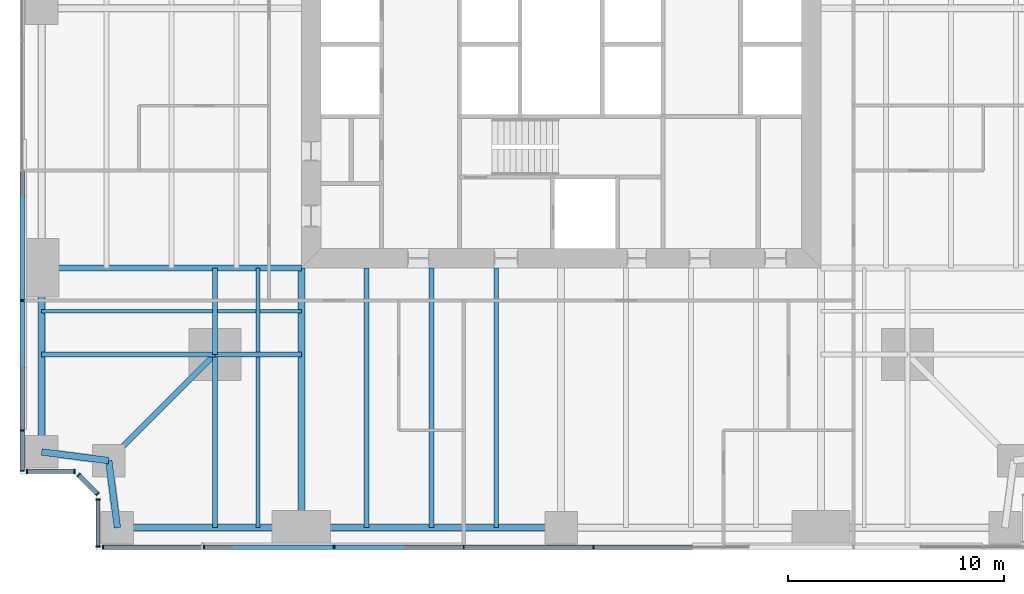
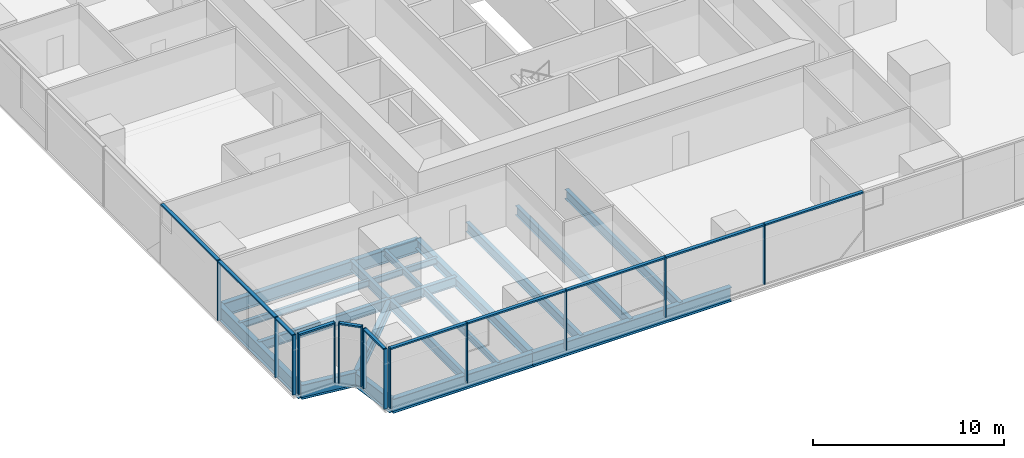
# One storey, part 2 of 15: 25 members, 20 beams, 5 elements without a shape of their own.
"""IFC4 building model written with IfcOpenShell, lengths in metres."""

from ifc_helpers import new_model, si_unit, direction, frame, origin, origin_2d, place, context, subcontext, project, spatial, rectangle, i_section, extrude, material, material_profile, profile_set, type_object, element, aggregate, save


model = new_model("IFC4")

# Units and contexts
model_context = context("Model", 3, precision=1e-05, world=origin(), true_north=direction((0.0, 1.0)))
body_context = subcontext(model_context, "Body", "Model", "MODEL_VIEW")
ifc_project = project(units=[si_unit("LENGTHUNIT", "METRE"), si_unit("AREAUNIT", "SQUARE_METRE"), si_unit("VOLUMEUNIT", "CUBIC_METRE"), si_unit("PLANEANGLEUNIT", "RADIAN"), si_unit("MASSUNIT", "GRAM", prefix="KILO")], contexts=[model_context])

# Site, building, storey
site_placement = place(None, origin())
site = spatial("IfcSite", under=ifc_project, at=site_placement, CompositionType="ELEMENT")
building_placement = place(site_placement, origin())
building = spatial("IfcBuilding", under=site, at=building_placement, Name="Fenwick Lantern Interchange", CompositionType="ELEMENT")
storey_placement = place(building_placement, frame((0.0, 0.0, 51.0)))
storey = spatial("IfcBuildingStorey", under=building, at=storey_placement, Name="L11", CompositionType="ELEMENT", Elevation=51.0)

# Beams
ifc_material_1 = material(Name="Steel ASTM A992 Grade 50", Category="steel")
ifc_material_profile_1 = material_profile(ifc_material_1, i_section(OverallWidth=0.3046875, OverallDepth=0.911865234375, WebThickness=0.015869140625, FlangeThickness=0.02392578125, at=origin_2d()), Name="W36X150")
ifc_profile_set_1 = profile_set([ifc_material_profile_1], Name="Steel ASTM A992 Grade 50")
beam_type_1 = type_object("IfcBeamType", Name="EDGE BEAM W36X150", PredefinedType="SPANDREL", material=ifc_profile_set_1)
beam_1_placement = place(storey_placement, frame((4.5, 1.0, -0.60595703125), z_axis=(1.0, 0.0, 0.0), x_axis=(0.0, 1.0, 0.0)))
element("IfcBeam", 1, at=beam_1_placement, inside=storey, type_object=beam_type_1, Name="L11/FR/S/EB1", PredefinedType="SPANDREL", context=body_context, shape_type="SweptSolid", body=[
    extrude(i_section(OverallWidth=0.3046875, OverallDepth=0.911865234375, WebThickness=0.015869140625, FlangeThickness=0.02392578125, at=origin_2d()), origin(), (0.0, 0.0, 1.0), 8.5),
])
beam_2_placement = place(storey_placement, frame((13.0, 1.0, -0.60595703125), z_axis=(1.0, 0.0, 0.0), x_axis=(0.0, 1.0, 0.0)))
element("IfcBeam", 2, at=beam_2_placement, inside=storey, type_object=beam_type_1, Name="L11/FR/S/EB2", PredefinedType="SPANDREL", context=body_context, shape_type="SweptSolid", body=[
    extrude(i_section(OverallWidth=0.3046875, OverallDepth=0.911865234375, WebThickness=0.015869140625, FlangeThickness=0.02392578125, at=origin_2d()), origin(), (0.0, 0.0, 1.0), 12.0),
])
beam_3_placement = place(storey_placement, frame((1.0, 13.0, -0.60595703125), z_axis=(0.0, -1.0, 0.0), x_axis=(1.0, 0.0, 0.0)))
element("IfcBeam", 3, at=beam_3_placement, inside=storey, type_object=beam_type_1, Name="L11/FR/W/EB4", PredefinedType="SPANDREL", context=body_context, shape_type="SweptSolid", body=[
    extrude(i_section(OverallWidth=0.3046875, OverallDepth=0.911865234375, WebThickness=0.015869140625, FlangeThickness=0.02392578125, at=origin_2d()), origin(), (0.0, 0.0, 1.0), 8.5),
])
for number, where, z_axis, x_axis, name in (
    (4, (1.0, 4.5, -0.60595703125), (0.991782342897, -0.127936641807, 0.0), (0.127936641807, 0.991782342897, 0.0), "L11/FR/W/EBR1"),
    (5, (4.10009765625, 4.10009765625, -0.60595703125), (0.127936641807, -0.991782342897, 0.0), (0.991782342897, 0.127936641807, 0.0), "L11/FR/W/EBR2"),
):
    element("IfcBeam", number, at=place(storey_placement, frame(where, z_axis=z_axis, x_axis=x_axis)), inside=storey, type_object=beam_type_1, Name=name, PredefinedType="SPANDREL", context=body_context, shape_type="SweptSolid", body=[
        extrude(i_section(OverallWidth=0.3046875, OverallDepth=0.911865234375, WebThickness=0.015869140625, FlangeThickness=0.02392578125, at=origin_2d()), origin(), (0.0, 0.0, 1.0), 3.125732421875),
    ])
ifc_material_profile_2 = material_profile(ifc_material_1, i_section(OverallWidth=0.22900390625, OverallDepth=0.612060546875, WebThickness=0.011962890625, FlangeThickness=0.01953125, at=origin_2d()), Name="W24X84")
ifc_profile_set_2 = profile_set([ifc_material_profile_2], Name="Steel ASTM A992 Grade 50")
beam_type_2 = type_object("IfcBeamType", Name="FLOOR BEAM W24X84", PredefinedType="BEAM", material=ifc_profile_set_2)
for number, where, z_axis, x_axis, name in (
    (6, (16.0, 1.0, -0.4560546875), (0.0, 1.0, 0.0), (-1.0, 0.0, 0.0), "L11/FR/S/R02"),
    (7, (19.0, 1.0, -0.4560546875), (0.0, 1.0, 0.0), (-1.0, 0.0, 0.0), "L11/FR/S/R03"),
    (8, (22.0, 1.0, -0.4560546875), (0.0, 1.0, 0.0), (-1.0, 0.0, 0.0), "L11/FR/S/R04"),
):
    element("IfcBeam", number, at=place(storey_placement, frame(where, z_axis=z_axis, x_axis=x_axis)), inside=storey, type_object=beam_type_2, Name=name, PredefinedType="BEAM", context=body_context, shape_type="SweptSolid", body=[
        extrude(i_section(OverallWidth=0.22900390625, OverallDepth=0.612060546875, WebThickness=0.011962890625, FlangeThickness=0.01953125, at=origin_2d()), origin(), (0.0, 0.0, 1.0), 12.0),
    ])
ifc_material_profile_3 = material_profile(ifc_material_1, i_section(OverallWidth=0.177734375, OverallDepth=0.406494140625, WebThickness=0.0078125, FlangeThickness=0.012939453125, at=origin_2d()), Name="W16X40")
ifc_profile_set_3 = profile_set([ifc_material_profile_3], Name="Steel ASTM A992 Grade 50")
beam_type_3 = type_object("IfcBeamType", Name="INFILL BEAM W16X40", PredefinedType="JOIST", material=ifc_profile_set_3)
beam_4_placement = place(storey_placement, frame((11.0, 1.0, -0.353271484375), z_axis=(0.0, 1.0, 0.0), x_axis=(-1.0, 0.0, 0.0)))
element("IfcBeam", 9, at=beam_4_placement, inside=storey, type_object=beam_type_3, Name="L11/FR/S/J1", PredefinedType="JOIST", context=body_context, shape_type="SweptSolid", body=[
    extrude(i_section(OverallWidth=0.177734375, OverallDepth=0.406494140625, WebThickness=0.0078125, FlangeThickness=0.012939453125, at=origin_2d()), origin(), (0.0, 0.0, 1.0), 7.885498046875),
])
beam_5_placement = place(storey_placement, frame((11.0, 9.114501953125, -0.353271484375), z_axis=(0.0, 1.0, 0.0), x_axis=(-1.0, 0.0, 0.0)))
element("IfcBeam", 10, at=beam_5_placement, inside=storey, type_object=beam_type_3, Name="L11/FR/S/J2", PredefinedType="JOIST", context=body_context, shape_type="SweptSolid", body=[
    extrude(i_section(OverallWidth=0.177734375, OverallDepth=0.406494140625, WebThickness=0.0078125, FlangeThickness=0.012939453125, at=origin_2d()), origin(), (0.0, 0.0, 1.0), 3.885498046875),
])
beam_6_placement = place(storey_placement, frame((1.0, 11.0, -0.353271484375), z_axis=(1.0, 0.0, 0.0), x_axis=(0.0, 1.0, 0.0)))
element("IfcBeam", 11, at=beam_6_placement, inside=storey, type_object=beam_type_3, Name="L11/FR/S/J3", PredefinedType="JOIST", context=body_context, shape_type="SweptSolid", body=[
    extrude(i_section(OverallWidth=0.177734375, OverallDepth=0.406494140625, WebThickness=0.0078125, FlangeThickness=0.012939453125, at=origin_2d()), origin(), (0.0, 0.0, 1.0), 7.885498046875),
])
beam_7_placement = place(storey_placement, frame((9.114501953125, 11.0, -0.353271484375), z_axis=(1.0, 0.0, 0.0), x_axis=(0.0, 1.0, 0.0)))
element("IfcBeam", 12, at=beam_7_placement, inside=storey, type_object=beam_type_3, Name="L11/FR/S/J4", PredefinedType="JOIST", context=body_context, shape_type="SweptSolid", body=[
    extrude(i_section(OverallWidth=0.177734375, OverallDepth=0.406494140625, WebThickness=0.0078125, FlangeThickness=0.012939453125, at=origin_2d()), origin(), (0.0, 0.0, 1.0), 1.796630859375),
])
beam_8_placement = place(storey_placement, frame((11.0888671875, 11.0, -0.353271484375), z_axis=(1.0, 0.0, 0.0), x_axis=(0.0, 1.0, 0.0)))
element("IfcBeam", 13, at=beam_8_placement, inside=storey, type_object=beam_type_3, Name="L11/FR/S/J5", PredefinedType="JOIST", context=body_context, shape_type="SweptSolid", body=[
    extrude(i_section(OverallWidth=0.177734375, OverallDepth=0.406494140625, WebThickness=0.0078125, FlangeThickness=0.012939453125, at=origin_2d()), origin(), (0.0, 0.0, 1.0), 1.9111328125),
])
ifc_material_profile_4 = material_profile(ifc_material_1, i_section(OverallWidth=0.22900390625, OverallDepth=0.612060546875, WebThickness=0.011962890625, FlangeThickness=0.01953125, at=origin_2d()), Name="W24X84")
ifc_profile_set_4 = profile_set([ifc_material_profile_4], Name="Steel ASTM A992 Grade 50")
beam_type_4 = type_object("IfcBeamType", Name="MEGA COLUMN BEAM W24X84", PredefinedType="BEAM", material=ifc_profile_set_4)
for number, where, z_axis, x_axis, name in (
    (14, (9.0, 9.0, -0.4560546875), (0.0, -1.0, 0.0), (1.0, 0.0, 0.0), "L11/FR/S/MB1"),
    (15, (9.0, 9.0, -0.4560546875), (-1.0, 0.0, 0.0), (0.0, -1.0, 0.0), "L11/FR/S/MB2"),
):
    element("IfcBeam", number, at=place(storey_placement, frame(where, z_axis=z_axis, x_axis=x_axis)), inside=storey, type_object=beam_type_4, Name=name, PredefinedType="BEAM", context=body_context, shape_type="SweptSolid", body=[
        extrude(i_section(OverallWidth=0.22900390625, OverallDepth=0.612060546875, WebThickness=0.011962890625, FlangeThickness=0.01953125, at=origin_2d()), origin(), (0.0, 0.0, 1.0), 8.0),
    ])
for number, where, z_axis, x_axis, name in (
    (16, (9.0, 9.0, -0.4560546875), (1.0, 0.0, 0.0), (0.0, 1.0, 0.0), "L11/FR/S/MB3"),
    (17, (9.0, 9.0, -0.4560546875), (0.0, 1.0, 0.0), (-1.0, 0.0, 0.0), "L11/FR/S/MB4"),
):
    element("IfcBeam", number, at=place(storey_placement, frame(where, z_axis=z_axis, x_axis=x_axis)), inside=storey, type_object=beam_type_4, Name=name, PredefinedType="BEAM", context=body_context, shape_type="SweptSolid", body=[
        extrude(i_section(OverallWidth=0.22900390625, OverallDepth=0.612060546875, WebThickness=0.011962890625, FlangeThickness=0.01953125, at=origin_2d()), origin(), (0.0, 0.0, 1.0), 4.0),
    ])
ifc_material_profile_5 = material_profile(ifc_material_1, i_section(OverallWidth=0.32763671875, OverallDepth=0.622314453125, WebThickness=0.015380859375, FlangeThickness=0.0244140625, at=origin_2d()), Name="W24X131")
ifc_profile_set_5 = profile_set([ifc_material_profile_5], Name="Steel ASTM A992 Grade 50")
beam_type_5 = type_object("IfcBeamType", Name="MOMENT-CONNECTED GIRDER W24X131", PredefinedType="BEAM", material=ifc_profile_set_5)
beam_9_placement = place(storey_placement, frame((13.0, 1.0, -0.461181640625), z_axis=(0.0, 1.0, 0.0), x_axis=(-1.0, 0.0, 0.0)))
element("IfcBeam", 18, at=beam_9_placement, inside=storey, type_object=beam_type_5, Name="L11/FR/S/R01", PredefinedType="BEAM", context=body_context, shape_type="SweptSolid", body=[
    extrude(i_section(OverallWidth=0.32763671875, OverallDepth=0.622314453125, WebThickness=0.015380859375, FlangeThickness=0.0244140625, at=origin_2d()), origin(), (0.0, 0.0, 1.0), 12.0),
])
ifc_material_profile_6 = material_profile(ifc_material_1, i_section(OverallWidth=0.2919921875, OverallDepth=0.845703125, WebThickness=0.015380859375, FlangeThickness=0.0244140625, at=origin_2d()), Name="W33X141")
ifc_profile_set_6 = profile_set([ifc_material_profile_6], Name="Steel ASTM A992 Grade 50")
beam_type_6 = type_object("IfcBeamType", Name="MOMENT-CONNECTED GIRDER W33X141", PredefinedType="BEAM", material=ifc_profile_set_6)
beam_10_placement = place(storey_placement, frame((1.0, 13.0, -0.572998046875), z_axis=(1.0, 0.0, 0.0), x_axis=(0.0, 1.0, 0.0)))
element("IfcBeam", 19, at=beam_10_placement, inside=storey, type_object=beam_type_6, Name="L11/FR/W/R03", PredefinedType="BEAM", context=body_context, shape_type="SweptSolid", body=[
    extrude(i_section(OverallWidth=0.2919921875, OverallDepth=0.845703125, WebThickness=0.015380859375, FlangeThickness=0.0244140625, at=origin_2d()), origin(), (0.0, 0.0, 1.0), 12.0),
])
ifc_material_profile_7 = material_profile(ifc_material_1, i_section(OverallWidth=0.2666015625, OverallDepth=0.7568359375, WebThickness=0.013916015625, FlangeThickness=0.019287109375, at=origin_2d()), Name="W30X108")
ifc_profile_set_7 = profile_set([ifc_material_profile_7], Name="Steel ASTM A992 Grade 50")
beam_type_7 = type_object("IfcBeamType", Name="NOTCH BEAM W30X108", PredefinedType="BEAM", material=ifc_profile_set_7)
beam_11_placement = place(storey_placement, frame((9.0, 9.0, -0.528564453125), z_axis=(-0.707106781187, -0.707106781187, 0.0), x_axis=(0.707106781187, -0.707106781187, 0.0)))
element("IfcBeam", 20, at=beam_11_placement, inside=storey, type_object=beam_type_7, Name="L11/FR/S/TG", PredefinedType="BEAM", context=body_context, shape_type="SweptSolid", body=[
    extrude(i_section(OverallWidth=0.2666015625, OverallDepth=0.7568359375, WebThickness=0.013916015625, FlangeThickness=0.019287109375, at=origin_2d()), origin(), (0.0, 0.0, 1.0), 6.929443359375),
])

# Curtain wall, members
ifc_material_2 = material(Name="Aluminium curtain wall frame", Category="aluminium")
curtain_wall_type = type_object("IfcCurtainWallType", Name="OFFICE CURTAIN WALL", PredefinedType="USERDEFINED", material=ifc_material_2)
curtain_wall_1_placement = place(storey_placement, origin())
curtain_wall_1 = element("IfcCurtainWall", 21, at=curtain_wall_1_placement, inside=storey, type_object=curtain_wall_type, Name="Office curtain wall 01", ObjectType="OFFICE CURTAIN WALL", PredefinedType="USERDEFINED")
ifc_material_3 = material(Name="Aluminium extrusion", Category="aluminium")
ifc_material_profile_8 = material_profile(ifc_material_3, rectangle(XDim=0.199951171875, YDim=0.06494140625, at=origin_2d()), Name="OFFICE CURTAIN WALL MULLION 65 X 200")
ifc_profile_set_8 = profile_set([ifc_material_profile_8], Name="Aluminium extrusion")
member_type_1 = type_object("IfcMemberType", Name="OFFICE CURTAIN WALL MULLION 65 X 200", PredefinedType="MULLION", material=ifc_profile_set_8)
member_1_placement = place(storey_placement, frame((3.83251953125, 0.10009765625, 0.0), z_axis=(0.0, 0.0, 1.0), x_axis=(0.0, 1.0, 0.0)))
member_1 = element("IfcMember", 22, at=member_1_placement, type_object=member_type_1, Name="L11/CW/01/M00", PredefinedType="MULLION", context=body_context, shape_type="SweptSolid", body=[
    extrude(rectangle(XDim=0.199951171875, YDim=0.06494140625, at=origin_2d()), origin(), (0.0, 0.0, 1.0), 3.85009765625),
])
member_2_placement = place(storey_placement, frame((8.5, 0.10009765625, 0.0), z_axis=(0.0, 0.0, 1.0), x_axis=(0.0, 1.0, 0.0)))
member_2 = element("IfcMember", 23, at=member_2_placement, type_object=member_type_1, Name="L11/CW/01/M01", PredefinedType="MULLION", context=body_context, shape_type="SweptSolid", body=[
    extrude(rectangle(XDim=0.199951171875, YDim=0.06494140625, at=origin_2d()), origin(), (0.0, 0.0, 1.0), 3.85009765625),
])
member_3_placement = place(storey_placement, frame((14.5, 0.10009765625, 0.0), z_axis=(0.0, 0.0, 1.0), x_axis=(0.0, 1.0, 0.0)))
member_3 = element("IfcMember", 24, at=member_3_placement, type_object=member_type_1, Name="L11/CW/01/M02", PredefinedType="MULLION", context=body_context, shape_type="SweptSolid", body=[
    extrude(rectangle(XDim=0.199951171875, YDim=0.06494140625, at=origin_2d()), origin(), (0.0, 0.0, 1.0), 3.85009765625),
])
member_4_placement = place(storey_placement, frame((20.5, 0.10009765625, 0.0), z_axis=(0.0, 0.0, 1.0), x_axis=(0.0, 1.0, 0.0)))
member_4 = element("IfcMember", 25, at=member_4_placement, type_object=member_type_1, Name="L11/CW/01/M03", PredefinedType="MULLION", context=body_context, shape_type="SweptSolid", body=[
    extrude(rectangle(XDim=0.199951171875, YDim=0.06494140625, at=origin_2d()), origin(), (0.0, 0.0, 1.0), 3.85009765625),
])
member_5_placement = place(storey_placement, frame((26.5, 0.10009765625, 0.0), z_axis=(0.0, 0.0, 1.0), x_axis=(0.0, 1.0, 0.0)))
member_5 = element("IfcMember", 26, at=member_5_placement, type_object=member_type_1, Name="L11/CW/01/M04", PredefinedType="MULLION", context=body_context, shape_type="SweptSolid", body=[
    extrude(rectangle(XDim=0.199951171875, YDim=0.06494140625, at=origin_2d()), origin(), (0.0, 0.0, 1.0), 3.85009765625),
])

curtain_wall_2_placement = place(storey_placement, origin())
curtain_wall_2 = element("IfcCurtainWall", 27, at=curtain_wall_2_placement, inside=storey, type_object=curtain_wall_type, Name="Office curtain wall 13", ObjectType="OFFICE CURTAIN WALL", PredefinedType="USERDEFINED")
member_6_placement = place(storey_placement, frame((0.10009765625, 11.5, 0.0), z_axis=(0.0, 0.0, 1.0), x_axis=(1.0, 0.0, 0.0)))
member_6 = element("IfcMember", 28, at=member_6_placement, type_object=member_type_1, Name="L11/CW/13/M06", PredefinedType="MULLION", context=body_context, shape_type="SweptSolid", body=[
    extrude(rectangle(XDim=0.199951171875, YDim=0.06494140625, at=origin_2d()), origin(), (0.0, 0.0, 1.0), 3.85009765625),
])
member_7_placement = place(storey_placement, frame((0.10009765625, 5.5, 0.0), z_axis=(0.0, 0.0, 1.0), x_axis=(1.0, 0.0, 0.0)))
member_7 = element("IfcMember", 29, at=member_7_placement, type_object=member_type_1, Name="L11/CW/13/M07", PredefinedType="MULLION", context=body_context, shape_type="SweptSolid", body=[
    extrude(rectangle(XDim=0.199951171875, YDim=0.06494140625, at=origin_2d()), origin(), (0.0, 0.0, 1.0), 3.85009765625),
])
member_8_placement = place(storey_placement, frame((0.10009765625, 3.632568359375, 0.0), z_axis=(0.0, 0.0, 1.0), x_axis=(1.0, 0.0, 0.0)))
member_8 = element("IfcMember", 30, at=member_8_placement, type_object=member_type_1, Name="L11/CW/13/M08", PredefinedType="MULLION", context=body_context, shape_type="SweptSolid", body=[
    extrude(rectangle(XDim=0.199951171875, YDim=0.06494140625, at=origin_2d()), origin(), (0.0, 0.0, 1.0), 3.85009765625),
])

curtain_wall_3_placement = place(storey_placement, origin())
curtain_wall_3 = element("IfcCurtainWall", 31, at=curtain_wall_3_placement, inside=storey, type_object=curtain_wall_type, Name="Office curtain wall 14", ObjectType="OFFICE CURTAIN WALL", PredefinedType="USERDEFINED")
member_9_placement = place(storey_placement, frame((0.33251953125, 3.60009765625, 0.0), z_axis=(0.0, 0.0, 1.0), x_axis=(0.0, 1.0, 0.0)))
member_9 = element("IfcMember", 32, at=member_9_placement, type_object=member_type_1, Name="L11/CW/14/M00", PredefinedType="MULLION", context=body_context, shape_type="SweptSolid", body=[
    extrude(rectangle(XDim=0.199951171875, YDim=0.06494140625, at=origin_2d()), origin(), (0.0, 0.0, 1.0), 3.85009765625),
])
member_10_placement = place(storey_placement, frame((2.509033203125, 3.60009765625, 0.0), z_axis=(0.0, 0.0, 1.0), x_axis=(0.0, 1.0, 0.0)))
member_10 = element("IfcMember", 33, at=member_10_placement, type_object=member_type_1, Name="L11/CW/14/M01", PredefinedType="MULLION", context=body_context, shape_type="SweptSolid", body=[
    extrude(rectangle(XDim=0.199951171875, YDim=0.06494140625, at=origin_2d()), origin(), (0.0, 0.0, 1.0), 3.85009765625),
])

curtain_wall_4_placement = place(storey_placement, origin())
curtain_wall_4 = element("IfcCurtainWall", 34, at=curtain_wall_4_placement, inside=storey, type_object=curtain_wall_type, Name="Office curtain wall 15", ObjectType="OFFICE CURTAIN WALL", PredefinedType="USERDEFINED")
member_11_placement = place(storey_placement, frame((2.705810546875, 3.435546875, 0.0), z_axis=(0.0, 0.0, 1.0), x_axis=(0.707106781187, 0.707106781187, 0.0)))
member_11 = element("IfcMember", 35, at=member_11_placement, type_object=member_type_1, Name="L11/CW/15/M00", PredefinedType="MULLION", context=body_context, shape_type="SweptSolid", body=[
    extrude(rectangle(XDim=0.199951171875, YDim=0.06494140625, at=origin_2d()), origin(), (0.0, 0.0, 1.0), 3.85009765625),
])
member_12_placement = place(storey_placement, frame((3.576904296875, 2.564453125, 0.0), z_axis=(0.0, 0.0, 1.0), x_axis=(0.707106781187, 0.707106781187, 0.0)))
member_12 = element("IfcMember", 36, at=member_12_placement, type_object=member_type_1, Name="L11/CW/15/M01", PredefinedType="MULLION", context=body_context, shape_type="SweptSolid", body=[
    extrude(rectangle(XDim=0.199951171875, YDim=0.06494140625, at=origin_2d()), origin(), (0.0, 0.0, 1.0), 3.85009765625),
])

curtain_wall_5_placement = place(storey_placement, origin())
curtain_wall_5 = element("IfcCurtainWall", 37, at=curtain_wall_5_placement, inside=storey, type_object=curtain_wall_type, Name="Office curtain wall 16", ObjectType="OFFICE CURTAIN WALL", PredefinedType="USERDEFINED")
member_13_placement = place(storey_placement, frame((3.60009765625, 2.308837890625, 0.0), z_axis=(0.0, 0.0, 1.0), x_axis=(1.0, 0.0, 0.0)))
member_13 = element("IfcMember", 38, at=member_13_placement, type_object=member_type_1, Name="L11/CW/16/M00", PredefinedType="MULLION", context=body_context, shape_type="SweptSolid", body=[
    extrude(rectangle(XDim=0.199951171875, YDim=0.06494140625, at=origin_2d()), origin(), (0.0, 0.0, 1.0), 3.85009765625),
])
member_14_placement = place(storey_placement, frame((3.60009765625, 0.132568359375, 0.0), z_axis=(0.0, 0.0, 1.0), x_axis=(1.0, 0.0, 0.0)))
member_14 = element("IfcMember", 39, at=member_14_placement, type_object=member_type_1, Name="L11/CW/16/M01", PredefinedType="MULLION", context=body_context, shape_type="SweptSolid", body=[
    extrude(rectangle(XDim=0.199951171875, YDim=0.06494140625, at=origin_2d()), origin(), (0.0, 0.0, 1.0), 3.85009765625),
])

# Member
ifc_material_profile_9 = material_profile(ifc_material_3, rectangle(XDim=0.199951171875, YDim=0.10009765625, at=origin_2d()), Name="OFFICE CURTAIN WALL TRANSOM 100 X 200")
ifc_profile_set_9 = profile_set([ifc_material_profile_9], Name="Aluminium extrusion")
member_type_2 = type_object("IfcMemberType", Name="OFFICE CURTAIN WALL TRANSOM 100 X 200", PredefinedType="MULLION", material=ifc_profile_set_9)
member_15_placement = place(storey_placement, frame((3.864990234375, 0.10009765625, 3.800048828125), z_axis=(1.0, 0.0, 0.0), x_axis=(0.0, 1.0, 0.0)))
member_15 = element("IfcMember", 40, at=member_15_placement, type_object=member_type_2, Name="L11/CW/01/T00", PredefinedType="MULLION", context=body_context, shape_type="SweptSolid", body=[
    extrude(rectangle(XDim=0.199951171875, YDim=0.10009765625, at=origin_2d()), origin(), (0.0, 0.0, 1.0), 4.6025390625),
])

member_16_placement = place(storey_placement, frame((8.532470703125, 0.10009765625, 3.800048828125), z_axis=(1.0, 0.0, 0.0), x_axis=(0.0, 1.0, 0.0)))
member_16 = element("IfcMember", 41, at=member_16_placement, type_object=member_type_2, Name="L11/CW/01/T01", PredefinedType="MULLION", context=body_context, shape_type="SweptSolid", body=[
    extrude(rectangle(XDim=0.199951171875, YDim=0.10009765625, at=origin_2d()), origin(), (0.0, 0.0, 1.0), 5.93505859375),
])

member_17_placement = place(storey_placement, frame((14.532470703125, 0.10009765625, 3.800048828125), z_axis=(1.0, 0.0, 0.0), x_axis=(0.0, 1.0, 0.0)))
member_17 = element("IfcMember", 42, at=member_17_placement, type_object=member_type_2, Name="L11/CW/01/T02", PredefinedType="MULLION", context=body_context, shape_type="SweptSolid", body=[
    extrude(rectangle(XDim=0.199951171875, YDim=0.10009765625, at=origin_2d()), origin(), (0.0, 0.0, 1.0), 5.93505859375),
])

member_18_placement = place(storey_placement, frame((20.532470703125, 0.10009765625, 3.800048828125), z_axis=(1.0, 0.0, 0.0), x_axis=(0.0, 1.0, 0.0)))
member_18 = element("IfcMember", 43, at=member_18_placement, type_object=member_type_2, Name="L11/CW/01/T03", PredefinedType="MULLION", context=body_context, shape_type="SweptSolid", body=[
    extrude(rectangle(XDim=0.199951171875, YDim=0.10009765625, at=origin_2d()), origin(), (0.0, 0.0, 1.0), 5.93505859375),
])

member_19_placement = place(storey_placement, frame((26.532470703125, 0.10009765625, 3.800048828125), z_axis=(1.0, 0.0, 0.0), x_axis=(0.0, 1.0, 0.0)))
member_19 = element("IfcMember", 44, at=member_19_placement, type_object=member_type_2, Name="L11/CW/01/T04", PredefinedType="MULLION", context=body_context, shape_type="SweptSolid", body=[
    extrude(rectangle(XDim=0.199951171875, YDim=0.10009765625, at=origin_2d()), origin(), (0.0, 0.0, 1.0), 5.93505859375),
])

aggregate(curtain_wall_1, [member_1, member_2, member_3, member_4, member_5, member_15, member_16, member_17, member_18, member_19])

member_20_placement = place(storey_placement, frame((0.10009765625, 17.467529296875, 3.800048828125), z_axis=(0.0, -1.0, 0.0), x_axis=(1.0, 0.0, 0.0)))
member_20 = element("IfcMember", 45, at=member_20_placement, type_object=member_type_2, Name="L11/CW/13/T05", PredefinedType="MULLION", context=body_context, shape_type="SweptSolid", body=[
    extrude(rectangle(XDim=0.199951171875, YDim=0.10009765625, at=origin_2d()), origin(), (0.0, 0.0, 1.0), 5.93505859375),
])

member_21_placement = place(storey_placement, frame((0.10009765625, 11.467529296875, 3.800048828125), z_axis=(0.0, -1.0, 0.0), x_axis=(1.0, 0.0, 0.0)))
member_21 = element("IfcMember", 46, at=member_21_placement, type_object=member_type_2, Name="L11/CW/13/T06", PredefinedType="MULLION", context=body_context, shape_type="SweptSolid", body=[
    extrude(rectangle(XDim=0.199951171875, YDim=0.10009765625, at=origin_2d()), origin(), (0.0, 0.0, 1.0), 5.93505859375),
])

member_22_placement = place(storey_placement, frame((0.10009765625, 5.467529296875, 3.800048828125), z_axis=(0.0, -1.0, 0.0), x_axis=(1.0, 0.0, 0.0)))
member_22 = element("IfcMember", 47, at=member_22_placement, type_object=member_type_2, Name="L11/CW/13/T07", PredefinedType="MULLION", context=body_context, shape_type="SweptSolid", body=[
    extrude(rectangle(XDim=0.199951171875, YDim=0.10009765625, at=origin_2d()), origin(), (0.0, 0.0, 1.0), 1.802490234375),
])

aggregate(curtain_wall_2, [member_6, member_7, member_8, member_20, member_21, member_22])

member_23_placement = place(storey_placement, frame((0.364990234375, 3.60009765625, 3.800048828125), z_axis=(1.0, 0.0, 0.0), x_axis=(0.0, 1.0, 0.0)))
member_23 = element("IfcMember", 48, at=member_23_placement, type_object=member_type_2, Name="L11/CW/14/T00", PredefinedType="MULLION", context=body_context, shape_type="SweptSolid", body=[
    extrude(rectangle(XDim=0.199951171875, YDim=0.10009765625, at=origin_2d()), origin(), (0.0, 0.0, 1.0), 2.111328125),
])

aggregate(curtain_wall_3, [member_9, member_10, member_23])

member_24_placement = place(storey_placement, frame((2.728759765625, 3.41259765625, 3.800048828125), z_axis=(0.707106781187, -0.707106781187, 0.0), x_axis=(0.707106781187, 0.707106781187, 0.0)))
member_24 = element("IfcMember", 49, at=member_24_placement, type_object=member_type_2, Name="L11/CW/15/T00", PredefinedType="MULLION", context=body_context, shape_type="SweptSolid", body=[
    extrude(rectangle(XDim=0.199951171875, YDim=0.10009765625, at=origin_2d()), origin(), (0.0, 0.0, 1.0), 1.1669921875),
])

aggregate(curtain_wall_4, [member_11, member_12, member_24])

member_25_placement = place(storey_placement, frame((3.60009765625, 2.2763671875, 3.800048828125), z_axis=(0.0, -1.0, 0.0), x_axis=(1.0, 0.0, 0.0)))
member_25 = element("IfcMember", 50, at=member_25_placement, type_object=member_type_2, Name="L11/CW/16/T00", PredefinedType="MULLION", context=body_context, shape_type="SweptSolid", body=[
    extrude(rectangle(XDim=0.199951171875, YDim=0.10009765625, at=origin_2d()), origin(), (0.0, 0.0, 1.0), 2.111328125),
])

aggregate(curtain_wall_5, [member_13, member_14, member_25])

save(model, "model.ifc")
